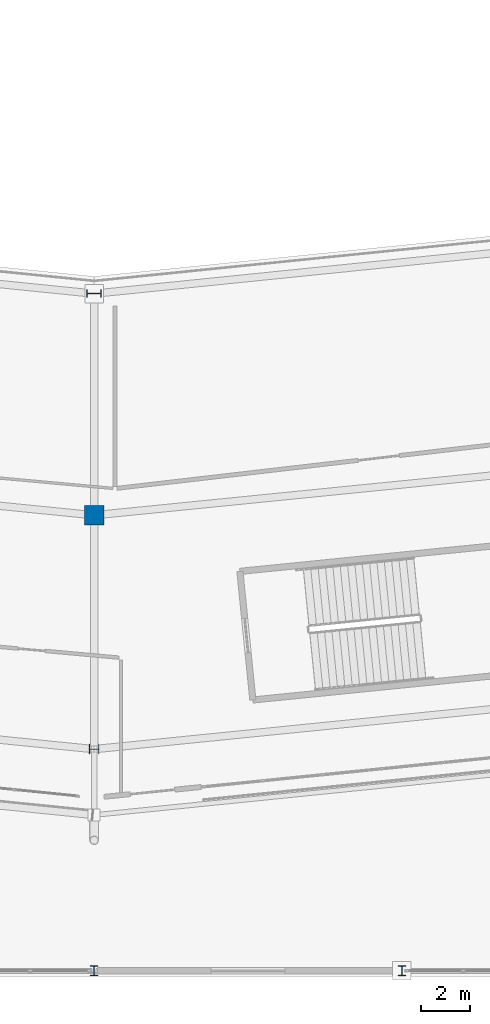
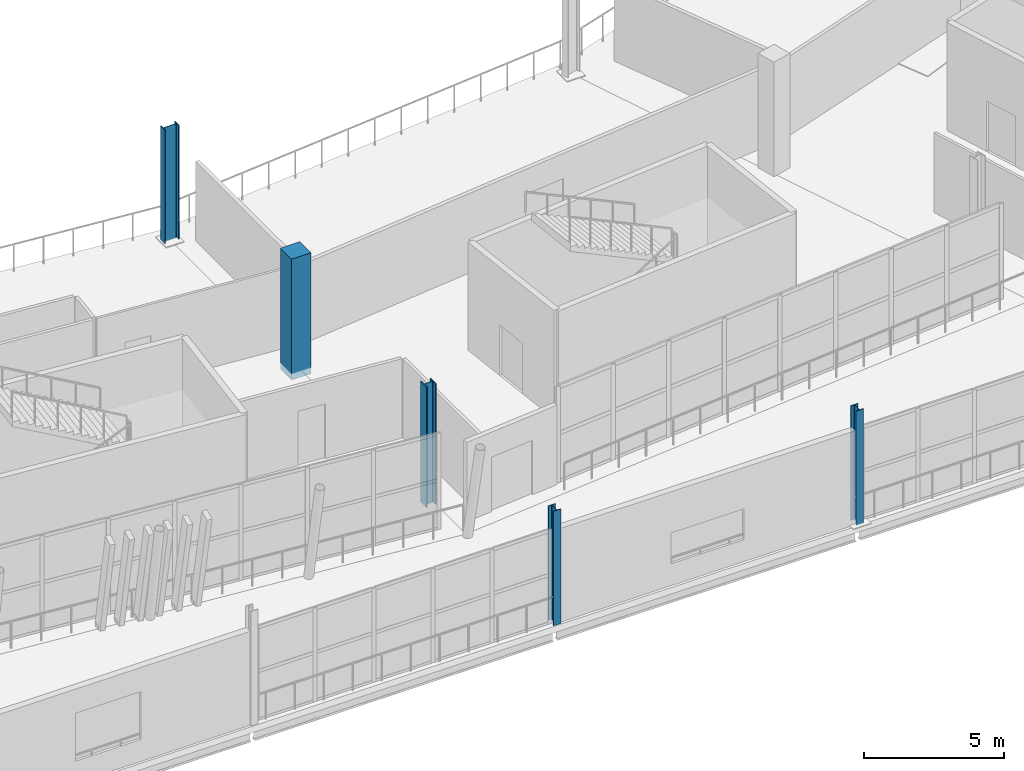
# One storey, part 5 of 179: 5 columns.
"""IFC4 building model written with IfcOpenShell, lengths in metres."""

from ifc_helpers import new_model, si_unit, direction, frame, origin, origin_2d, place, context, subcontext, project, spatial, rectangle, i_section, extrude, material, material_profile, profile_set, type_object, element, save


model = new_model("IFC4")

# Units and contexts
model_context = context("Model", 3, precision=1e-05, world=origin(), true_north=direction((0.0, 1.0)))
body_context = subcontext(model_context, "Body", "Model", "MODEL_VIEW")
ifc_project = project(units=[si_unit("LENGTHUNIT", "METRE"), si_unit("AREAUNIT", "SQUARE_METRE"), si_unit("VOLUMEUNIT", "CUBIC_METRE"), si_unit("PLANEANGLEUNIT", "RADIAN"), si_unit("MASSUNIT", "GRAM", prefix="KILO")], contexts=[model_context])

# Site, building, storey
site_placement = place(None, origin())
site = spatial("IfcSite", under=ifc_project, at=site_placement, CompositionType="ELEMENT")
building_placement = place(site_placement, origin())
building = spatial("IfcBuilding", under=site, at=building_placement, Name="Zlatoyarsky Gate Stadium", CompositionType="ELEMENT")
storey_placement = place(building_placement, frame((0.0, 0.0, 10.60009765625)))
storey = spatial("IfcBuildingStorey", under=building, at=storey_placement, Name="L02", CompositionType="ELEMENT", Elevation=10.60009765625)

# Columns
ifc_material_1 = material(Name="Concrete C40/50", Category="concrete")
ifc_material_profile_1 = material_profile(ifc_material_1, rectangle(XDim=0.800048828125, YDim=0.800048828125, at=origin_2d()), Name="RC COL 800X800")
ifc_profile_set_1 = profile_set([ifc_material_profile_1], Name="Concrete C40/50")
column_type_1 = type_object("IfcColumnType", Name="CONCRETE COLUMN 800X800", PredefinedType="COLUMN", material=ifc_profile_set_1)
column_1_placement = place(storey_placement, frame((111.0, 18.5, -0.280029296875), z_axis=(0.0, 0.0, 1.0), x_axis=(0.0, -1.0, 0.0)))
element("IfcColumn", 1, at=column_1_placement, inside=storey, type_object=column_type_1, Name="Column RC-C80 RB-18 on L02", PredefinedType="COLUMN", context=body_context, shape_type="SweptSolid", body=[
    extrude(rectangle(XDim=0.800048828125, YDim=0.800048828125, at=origin_2d()), origin(), (0.0, 0.0, 1.0), 5.280029296875),
])
ifc_material_2 = material(Name="Steel S355", Category="steel")
ifc_material_profile_2 = material_profile(ifc_material_2, i_section(OverallWidth=0.300048828125, OverallDepth=0.39990234375, WebThickness=0.013427734375, FlangeThickness=0.02392578125, FilletRadius=0.027099609375, at=origin_2d()), Name="HEB 400")
ifc_profile_set_2 = profile_set([ifc_material_profile_2], Name="Steel S355")
column_type_2 = type_object("IfcColumnType", Name="STEEL COLUMN HEB 400", PredefinedType="COLUMN", material=ifc_profile_set_2)
for number, where, z_axis, x_axis, name in (
    (2, (111.0, 0.0, 0.0), (0.0, 0.0, 1.0), (1.0, 0.0, 0.0), "Column ST-C400 WG-10-A on L02"),
    (3, (123.5, 0.0, 0.0), (0.0, 0.0, 1.0), (1.0, 0.0, 0.0), "Column ST-C400 WG-11-A on L02"),
):
    element("IfcColumn", number, at=place(storey_placement, frame(where, z_axis=z_axis, x_axis=x_axis)), inside=storey, type_object=column_type_2, Name=name, PredefinedType="COLUMN", context=body_context, shape_type="SweptSolid", body=[
        extrude(i_section(OverallWidth=0.300048828125, OverallDepth=0.39990234375, WebThickness=0.013427734375, FlangeThickness=0.02392578125, FilletRadius=0.027099609375, at=origin_2d()), origin(), (0.0, 0.0, 1.0), 5.0),
    ])
ifc_material_profile_3 = material_profile(ifc_material_2, i_section(OverallWidth=0.300048828125, OverallDepth=0.60009765625, WebThickness=0.015380859375, FlangeThickness=0.030029296875, FilletRadius=0.027099609375, at=origin_2d()), Name="HEB 600")
ifc_profile_set_3 = profile_set([ifc_material_profile_3], Name="Steel S355")
column_type_3 = type_object("IfcColumnType", Name="STEEL COLUMN HEB 600", PredefinedType="COLUMN", material=ifc_profile_set_3)
column_2_placement = place(storey_placement, frame((111.0, 27.5, 0.0), z_axis=(0.0, 0.0, 1.0), x_axis=(0.0, -1.0, 0.0)))
element("IfcColumn", 4, at=column_2_placement, inside=storey, type_object=column_type_3, Name="Column ST-C600 RA-18 on L02", PredefinedType="COLUMN", context=body_context, shape_type="SweptSolid", body=[
    extrude(i_section(OverallWidth=0.300048828125, OverallDepth=0.60009765625, WebThickness=0.015380859375, FlangeThickness=0.030029296875, FilletRadius=0.027099609375, at=origin_2d()), origin(), (0.0, 0.0, 1.0), 5.0),
])
ifc_material_profile_4 = material_profile(ifc_material_2, i_section(OverallWidth=0.406005859375, OverallDepth=0.416015625, WebThickness=0.02392578125, FlangeThickness=0.0390625, FilletRadius=0.014892578125, at=origin_2d()), Name="HD 400X382")
ifc_profile_set_4 = profile_set([ifc_material_profile_4], Name="Steel S355")
column_type_4 = type_object("IfcColumnType", Name="STEEL PORTAL PILASTER HD 400X382", PredefinedType="PILASTER", material=ifc_profile_set_4)
column_3_placement = place(storey_placement, frame((111.0, 9.0, -0.280029296875), z_axis=(0.0, 0.0, 1.0), x_axis=(0.0, -1.0, 0.0)))
element("IfcColumn", 5, at=column_3_placement, inside=storey, type_object=column_type_4, Name="Column ST-CHD RC-18 on L02", PredefinedType="PILASTER", context=body_context, shape_type="SweptSolid", body=[
    extrude(i_section(OverallWidth=0.406005859375, OverallDepth=0.416015625, WebThickness=0.02392578125, FlangeThickness=0.0390625, FilletRadius=0.014892578125, at=origin_2d()), origin(), (0.0, 0.0, 1.0), 5.280029296875),
])

save(model, "model.ifc")
